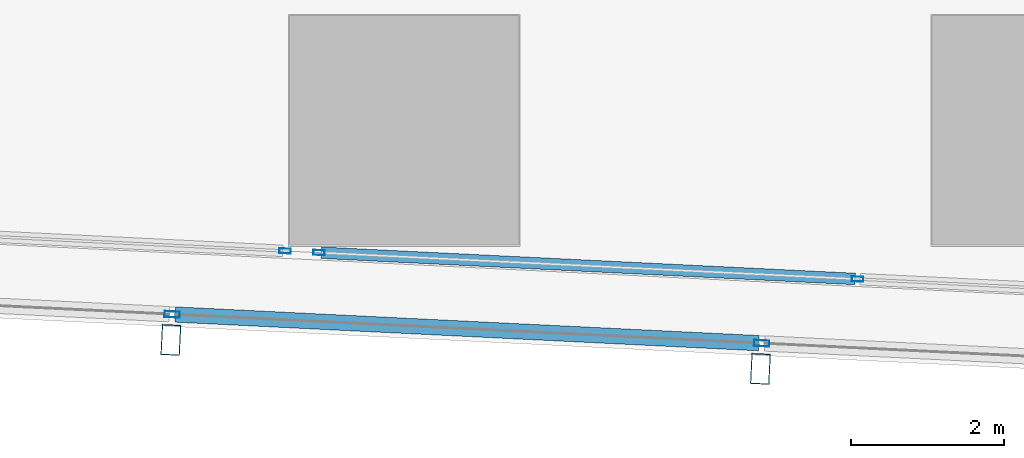
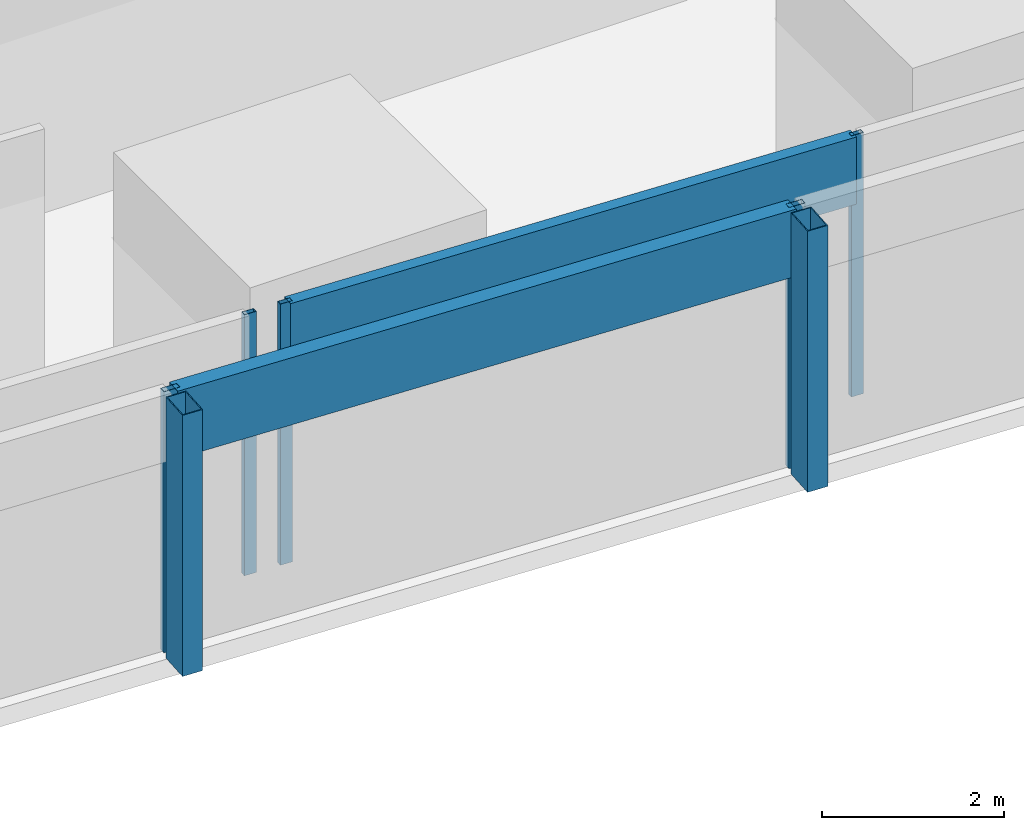
# One storey, part 5 of 45: 9 members, 3 elements without a shape of their own.
"""IFC4 building model written with IfcOpenShell, lengths in metres."""

from ifc_helpers import new_model, si_unit, direction, frame, origin, origin_2d, place, context, subcontext, project, spatial, hollow_rectangle, extrude, material, material_profile, profile_set, type_object, element, aggregate, save


model = new_model("IFC4")

# Units and contexts
model_context = context("Model", 3, precision=1e-05, world=origin(), true_north=direction((0.0, 1.0)))
body_context = subcontext(model_context, "Body", "Model", "MODEL_VIEW")
ifc_project = project(units=[si_unit("LENGTHUNIT", "METRE"), si_unit("AREAUNIT", "SQUARE_METRE"), si_unit("VOLUMEUNIT", "CUBIC_METRE"), si_unit("PLANEANGLEUNIT", "RADIAN"), si_unit("MASSUNIT", "GRAM", prefix="KILO")], contexts=[model_context])

# Site, building, storey
site_placement = place(None, origin())
site = spatial("IfcSite", under=ifc_project, at=site_placement, CompositionType="ELEMENT")
building_placement = place(site_placement, origin())
building = spatial("IfcBuilding", under=site, at=building_placement, Name="Rekha Terrace Tower", CompositionType="ELEMENT")
storey_placement = place(building_placement, frame((0.0, 0.0, 77.89990234375)))
storey = spatial("IfcBuildingStorey", under=building, at=storey_placement, Name="L19", CompositionType="ELEMENT", Elevation=77.89990234375)

# Curtain wall, members
ifc_material_1 = material(Name="Aluminium framing", Category="aluminium")
curtain_wall_type_1 = type_object("IfcCurtainWallType", Name="CW2 double skin outer glazing", PredefinedType="USERDEFINED", material=ifc_material_1)
curtain_wall_1_placement = place(storey_placement, origin())
curtain_wall_1 = element("IfcCurtainWall", 1, at=curtain_wall_1_placement, inside=storey, type_object=curtain_wall_type_1, Name="CW2 double skin outer glazing", ObjectType="DOUBLE SKIN OUTER GLAZING", PredefinedType="USERDEFINED")
ifc_material_2 = material(Name="Steel S355 with fluorocarbon finish", Category="steel")
ifc_material_profile_1 = material_profile(ifc_material_2, hollow_rectangle(XDim=0.25, YDim=0.39990234375, WallThickness=0.012451171875, at=origin_2d()), Name="RHS400x250x12.5")
ifc_profile_set_1 = profile_set([ifc_material_profile_1], Name="Steel S355 with fluorocarbon finish")
member_type_1 = type_object("IfcMemberType", Name="BL1 facade blade RHS 400 x 250", PredefinedType="USERDEFINED", material=ifc_profile_set_1)
member_1_placement = place(storey_placement, frame((22.14990234375, 5.6611328125, 0.0), z_axis=(0.0, 0.0, 1.0), x_axis=(0.998796226835, -0.049051985279, 0.0)))
member_1 = element("IfcMember", 2, at=member_1_placement, type_object=member_type_1, Name="Facade blade", ObjectType="FACADE BLADE", PredefinedType="USERDEFINED", context=body_context, shape_type="SweptSolid", body=[
    extrude(hollow_rectangle(XDim=0.25, YDim=0.39990234375, WallThickness=0.012451171875, at=origin_2d()), origin(), (0.0, 0.0, 1.0), 3.5),
])
member_2_placement = place(storey_placement, frame((29.856201171875, 5.28271484375, 0.0), z_axis=(0.0, 0.0, 1.0), x_axis=(0.998796226835, -0.049051985279, 0.0)))
member_2 = element("IfcMember", 3, at=member_2_placement, type_object=member_type_1, Name="Facade blade", ObjectType="FACADE BLADE", PredefinedType="USERDEFINED", context=body_context, shape_type="SweptSolid", body=[
    extrude(hollow_rectangle(XDim=0.25, YDim=0.39990234375, WallThickness=0.012451171875, at=origin_2d()), origin(), (0.0, 0.0, 1.0), 3.5),
])

# Curtain wall, member
curtain_wall_type_2 = type_object("IfcCurtainWallType", Name="CW1 double skin inner glazing", PredefinedType="USERDEFINED", material=ifc_material_1)
curtain_wall_2_placement = place(storey_placement, origin())
curtain_wall_2 = element("IfcCurtainWall", 4, at=curtain_wall_2_placement, inside=storey, type_object=curtain_wall_type_2, Name="CW1 double skin inner glazing", ObjectType="DOUBLE SKIN INNER GLAZING", PredefinedType="USERDEFINED")
ifc_material_3 = material(Name="Aluminium mullion section", Category="aluminium")
ifc_material_profile_2 = material_profile(ifc_material_3, hollow_rectangle(XDim=0.06494140625, YDim=0.14990234375, WallThickness=0.00390625, at=origin_2d()), Name="AL RHS 65x150")
ifc_profile_set_2 = profile_set([ifc_material_profile_2], Name="Aluminium mullion section")
member_type_2 = type_object("IfcMemberType", Name="CW1 mullion RHS 65 x 150", PredefinedType="MULLION", material=ifc_profile_set_2)
member_3_placement = place(storey_placement, frame((23.642822265625, 6.82421875, 0.0), z_axis=(0.0, 0.0, 1.0), x_axis=(0.049051717746, 0.998796239974, 0.0)))
member_3 = element("IfcMember", 5, at=member_3_placement, type_object=member_type_2, Name="CW1 mullion 2", PredefinedType="MULLION", context=body_context, shape_type="SweptSolid", body=[
    extrude(hollow_rectangle(XDim=0.06494140625, YDim=0.14990234375, WallThickness=0.00390625, at=origin_2d()), origin(), (0.0, 0.0, 1.0), 3.5),
])
aggregate(curtain_wall_2, [member_3])

# Curtain wall, members
curtain_wall_3_placement = place(storey_placement, origin())
curtain_wall_3 = element("IfcCurtainWall", 6, at=curtain_wall_3_placement, inside=storey, type_object=curtain_wall_type_2, Name="CW1 double skin inner glazing", ObjectType="DOUBLE SKIN INNER GLAZING", PredefinedType="USERDEFINED")
member_4_placement = place(storey_placement, frame((24.085693359375, 6.802490234375, 0.0), z_axis=(0.0, 0.0, 1.0), x_axis=(0.049051717763, 0.998796239973, 0.0)))
member_4 = element("IfcMember", 7, at=member_4_placement, type_object=member_type_2, Name="CW1 mullion 1", PredefinedType="MULLION", context=body_context, shape_type="SweptSolid", body=[
    extrude(hollow_rectangle(XDim=0.06494140625, YDim=0.14990234375, WallThickness=0.00390625, at=origin_2d()), origin(), (0.0, 0.0, 1.0), 3.5),
])
member_5_placement = place(storey_placement, frame((31.1259765625, 6.456787109375, 0.0), z_axis=(0.0, 0.0, 1.0), x_axis=(0.049051717763, 0.998796239973, 0.0)))
member_5 = element("IfcMember", 8, at=member_5_placement, type_object=member_type_2, Name="CW1 mullion 2", PredefinedType="MULLION", context=body_context, shape_type="SweptSolid", body=[
    extrude(hollow_rectangle(XDim=0.06494140625, YDim=0.14990234375, WallThickness=0.00390625, at=origin_2d()), origin(), (0.0, 0.0, 1.0), 3.5),
])
ifc_material_4 = material(Name="Insulated aluminium spandrel box", Category="aluminium")
ifc_material_profile_3 = material_profile(ifc_material_4, hollow_rectangle(XDim=0.14990234375, YDim=0.89990234375, WallThickness=0.0029296875, at=origin_2d()), Name="AL SPANDREL BOX 150x900")
ifc_profile_set_3 = profile_set([ifc_material_profile_3], Name="Insulated aluminium spandrel box")
member_type_3 = type_object("IfcMemberType", Name="CW1 spandrel transom 150 x 900", PredefinedType="USERDEFINED", material=ifc_profile_set_3)
member_6_placement = place(storey_placement, frame((24.1181640625, 6.801025390625, 3.050048828125), z_axis=(0.998796489465, -0.049046637315, 0.0), x_axis=(0.049046637315, 0.998796489465, 0.0)))
member_6 = element("IfcMember", 9, at=member_6_placement, type_object=member_type_3, Name="CW1 spandrel transom 1", ObjectType="TRANSOM", PredefinedType="USERDEFINED", context=body_context, shape_type="SweptSolid", body=[
    extrude(hollow_rectangle(XDim=0.14990234375, YDim=0.89990234375, WallThickness=0.0029296875, at=origin_2d()), origin(), (0.0, 0.0, 1.0), 6.983642578125),
])
aggregate(curtain_wall_3, [member_4, member_5, member_6])

# Member
ifc_material_profile_4 = material_profile(ifc_material_3, hollow_rectangle(XDim=0.080078125, YDim=0.199951171875, WallThickness=0.00390625, at=origin_2d()), Name="AL RHS 80x200")
ifc_profile_set_4 = profile_set([ifc_material_profile_4], Name="Aluminium mullion section")
member_type_4 = type_object("IfcMemberType", Name="CW2 mullion RHS 80 x 200", PredefinedType="MULLION", material=ifc_profile_set_4)
member_7_placement = place(storey_placement, frame((22.166259765625, 5.99560546875, 0.0), z_axis=(0.0, 0.0, 1.0), x_axis=(0.049051717746, 0.998796239974, 0.0)))
member_7 = element("IfcMember", 10, at=member_7_placement, type_object=member_type_4, Name="CW2 mullion 3", PredefinedType="MULLION", context=body_context, shape_type="SweptSolid", body=[
    extrude(hollow_rectangle(XDim=0.080078125, YDim=0.199951171875, WallThickness=0.00390625, at=origin_2d()), origin(), (0.0, 0.0, 1.0), 3.5),
])

member_8_placement = place(storey_placement, frame((29.872802734375, 5.6171875, 0.0), z_axis=(0.0, 0.0, 1.0), x_axis=(0.049051717746, 0.998796239974, 0.0)))
member_8 = element("IfcMember", 11, at=member_8_placement, type_object=member_type_4, Name="CW2 mullion 4", PredefinedType="MULLION", context=body_context, shape_type="SweptSolid", body=[
    extrude(hollow_rectangle(XDim=0.080078125, YDim=0.199951171875, WallThickness=0.00390625, at=origin_2d()), origin(), (0.0, 0.0, 1.0), 3.5),
])

ifc_material_profile_5 = material_profile(ifc_material_4, hollow_rectangle(XDim=0.199951171875, YDim=0.89990234375, WallThickness=0.0029296875, at=origin_2d()), Name="AL SPANDREL BOX 200x900")
ifc_profile_set_5 = profile_set([ifc_material_profile_5], Name="Insulated aluminium spandrel box")
member_type_5 = type_object("IfcMemberType", Name="CW2 spandrel transom 200 x 900", PredefinedType="USERDEFINED", material=ifc_profile_set_5)
member_9_placement = place(storey_placement, frame((22.206298828125, 5.99365234375, 3.050048828125), z_axis=(0.998796434643, -0.049047753721, 0.0), x_axis=(0.049047753721, 0.998796434643, 0.0)))
member_9 = element("IfcMember", 12, at=member_9_placement, type_object=member_type_5, Name="CW2 spandrel transom 3", ObjectType="TRANSOM", PredefinedType="USERDEFINED", context=body_context, shape_type="SweptSolid", body=[
    extrude(hollow_rectangle(XDim=0.199951171875, YDim=0.89990234375, WallThickness=0.0029296875, at=origin_2d()), origin(), (0.0, 0.0, 1.0), 7.6357421875),
])

aggregate(curtain_wall_1, [member_7, member_8, member_9, member_1, member_2])

save(model, "model.ifc")
